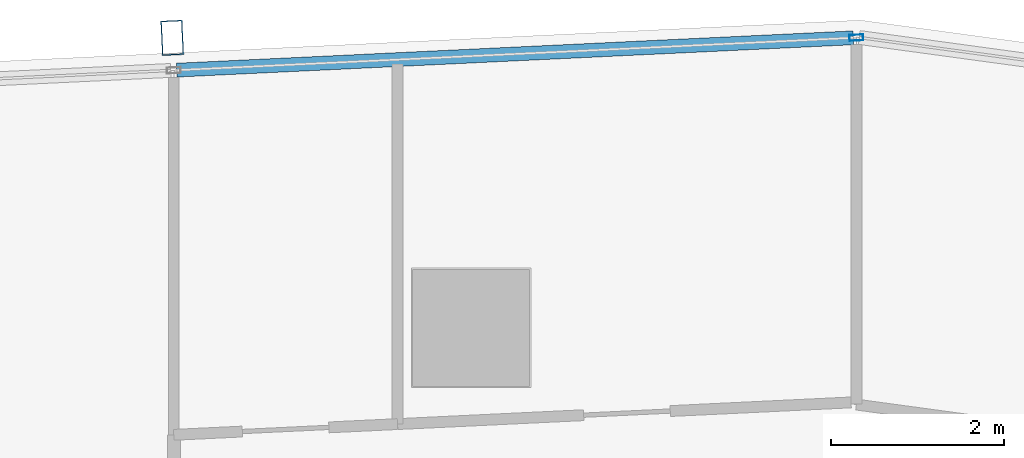
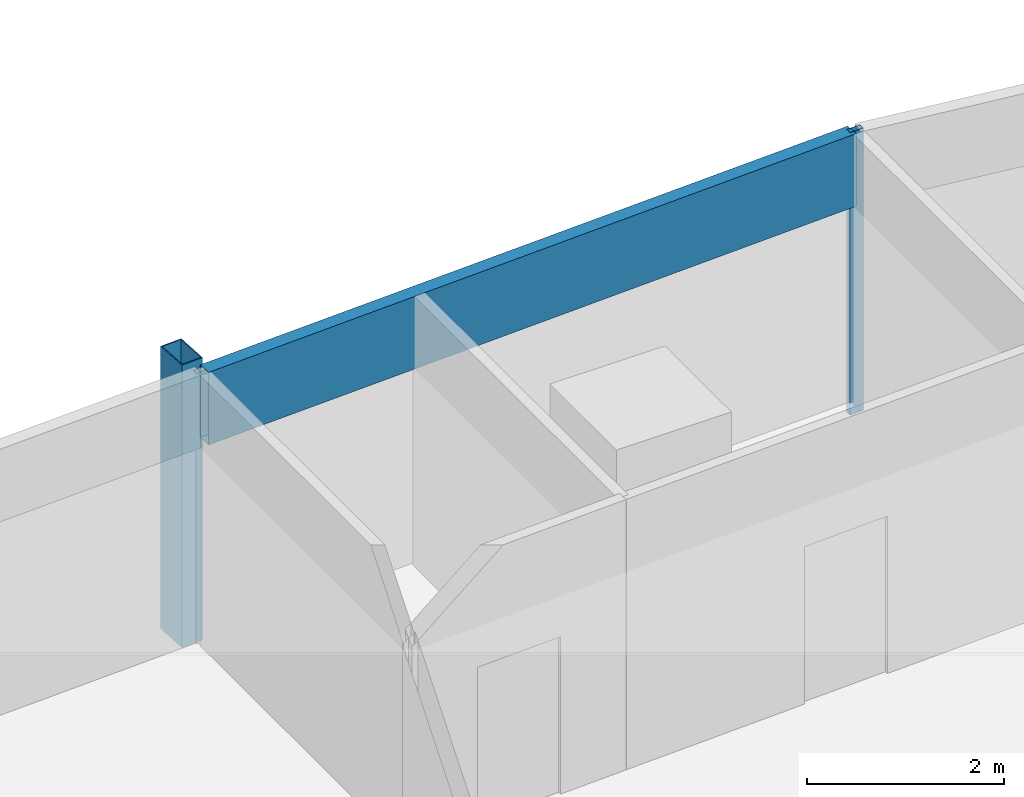
# One storey, part 25 of 38: 3 members, 1 element without a shape of its own.
"""IFC4 building model written with IfcOpenShell, lengths in metres."""

from ifc_helpers import new_model, si_unit, direction, frame, origin, origin_2d, place, context, subcontext, project, spatial, hollow_rectangle, extrude, material, material_profile, profile_set, type_object, element, aggregate, save


model = new_model("IFC4")

# Units and contexts
model_context = context("Model", 3, precision=1e-05, world=origin(), true_north=direction((0.0, 1.0)))
body_context = subcontext(model_context, "Body", "Model", "MODEL_VIEW")
ifc_project = project(units=[si_unit("LENGTHUNIT", "METRE"), si_unit("AREAUNIT", "SQUARE_METRE"), si_unit("VOLUMEUNIT", "CUBIC_METRE"), si_unit("PLANEANGLEUNIT", "RADIAN"), si_unit("MASSUNIT", "GRAM", prefix="KILO")], contexts=[model_context])

# Site, building, storey
site_placement = place(None, origin())
site = spatial("IfcSite", under=ifc_project, at=site_placement, CompositionType="ELEMENT")
building_placement = place(site_placement, origin())
building = spatial("IfcBuilding", under=site, at=building_placement, Name="Rekha Terrace Tower", CompositionType="ELEMENT")
storey_placement = place(building_placement, frame((0.0, 0.0, 202.699951171875)))
storey = spatial("IfcBuildingStorey", under=building, at=storey_placement, Name="L51", CompositionType="ELEMENT", Elevation=202.699951171875)

# Curtain wall, members
ifc_material_1 = material(Name="Aluminium framing", Category="aluminium")
curtain_wall_type = type_object("IfcCurtainWallType", Name="CW3 north unitised glazing", PredefinedType="USERDEFINED", material=ifc_material_1)
curtain_wall_placement = place(storey_placement, origin())
curtain_wall = element("IfcCurtainWall", 1, at=curtain_wall_placement, inside=storey, type_object=curtain_wall_type, Name="CW3 unitised curtain wall", ObjectType="UNITISED CURTAIN WALL", PredefinedType="USERDEFINED")
ifc_material_2 = material(Name="Steel S355 with fluorocarbon finish", Category="steel")
ifc_material_profile_1 = material_profile(ifc_material_2, hollow_rectangle(XDim=0.25, YDim=0.39990234375, WallThickness=0.012451171875, at=origin_2d()), Name="RHS400x250x12.5")
ifc_profile_set_1 = profile_set([ifc_material_profile_1], Name="Steel S355 with fluorocarbon finish")
member_type_1 = type_object("IfcMemberType", Name="BL1 facade blade RHS 400 x 250", PredefinedType="USERDEFINED", material=ifc_profile_set_1)
member_1_placement = place(storey_placement, frame((38.55224609375, 62.145751953125, 0.0), z_axis=(0.0, 0.0, 1.0), x_axis=(-0.998858913274, -0.04775846913, 0.0)))
member_1 = element("IfcMember", 2, at=member_1_placement, type_object=member_type_1, Name="Facade blade", ObjectType="FACADE BLADE", PredefinedType="USERDEFINED", context=body_context, shape_type="SweptSolid", body=[
    extrude(hollow_rectangle(XDim=0.25, YDim=0.39990234375, WallThickness=0.012451171875, at=origin_2d()), origin(), (0.0, 0.0, 1.0), 3.5),
])
ifc_material_3 = material(Name="Aluminium mullion section", Category="aluminium")
ifc_material_profile_2 = material_profile(ifc_material_3, hollow_rectangle(XDim=0.070068359375, YDim=0.159912109375, WallThickness=0.00390625, at=origin_2d()), Name="AL RHS 70x160")
ifc_profile_set_2 = profile_set([ifc_material_profile_2], Name="Aluminium mullion section")
member_type_2 = type_object("IfcMemberType", Name="CW3 mullion RHS 70 x 160", PredefinedType="MULLION", material=ifc_profile_set_2)
member_2_placement = place(storey_placement, frame((46.4443359375, 62.147705078125, 0.0), z_axis=(0.0, 0.0, 1.0), x_axis=(0.047758616983, -0.998858906204, 0.0)))
member_2 = element("IfcMember", 3, at=member_2_placement, type_object=member_type_2, Name="CW3 mullion 1", PredefinedType="MULLION", context=body_context, shape_type="SweptSolid", body=[
    extrude(hollow_rectangle(XDim=0.070068359375, YDim=0.159912109375, WallThickness=0.00390625, at=origin_2d()), origin(), (0.0, 0.0, 1.0), 3.5),
])
ifc_material_4 = material(Name="Insulated aluminium spandrel box", Category="aluminium")
ifc_material_profile_3 = material_profile(ifc_material_4, hollow_rectangle(XDim=0.159912109375, YDim=0.89990234375, WallThickness=0.0029296875, at=origin_2d()), Name="AL SPANDREL BOX 160x900")
ifc_profile_set_3 = profile_set([ifc_material_profile_3], Name="Insulated aluminium spandrel box")
member_type_3 = type_object("IfcMemberType", Name="CW3 spandrel transom 160 x 900", PredefinedType="USERDEFINED", material=ifc_profile_set_3)
member_3_placement = place(storey_placement, frame((46.4091796875, 62.14599609375, 3.050048828125), z_axis=(-0.998859425172, -0.047747761666, 0.0), x_axis=(0.047747761666, -0.998859425172, 0.0)))
member_3 = element("IfcMember", 4, at=member_3_placement, type_object=member_type_3, Name="CW3 spandrel transom 1", ObjectType="TRANSOM", PredefinedType="USERDEFINED", context=body_context, shape_type="SweptSolid", body=[
    extrude(hollow_rectangle(XDim=0.159912109375, YDim=0.89990234375, WallThickness=0.0029296875, at=origin_2d()), origin(), (0.0, 0.0, 1.0), 7.81298828125),
])
aggregate(curtain_wall, [member_2, member_3, member_1])

save(model, "model.ifc")
